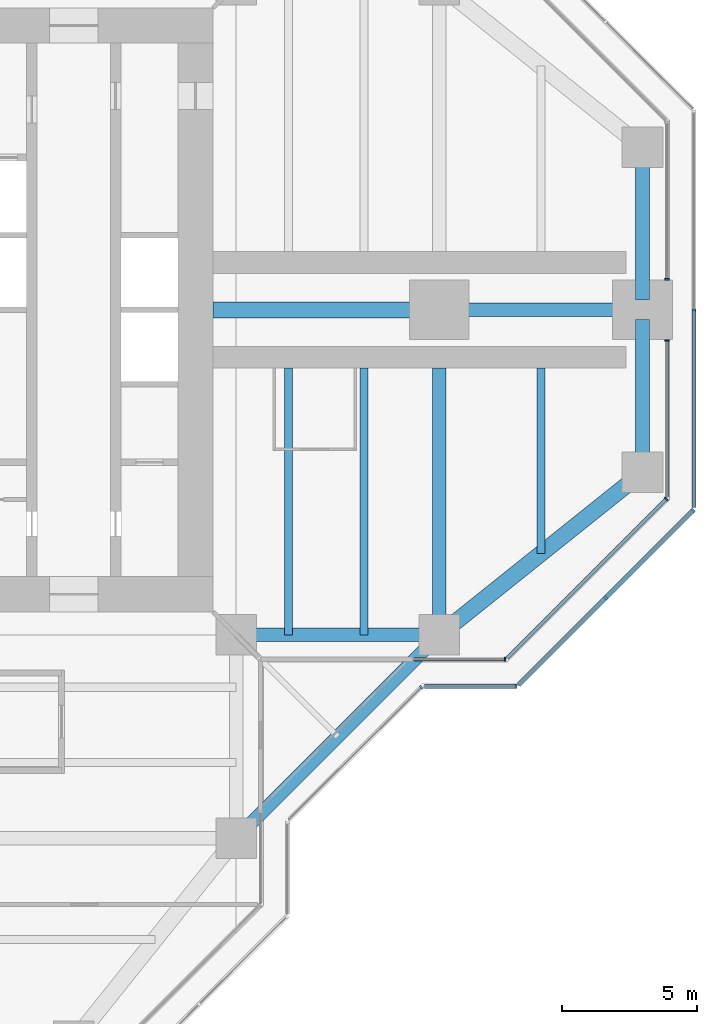
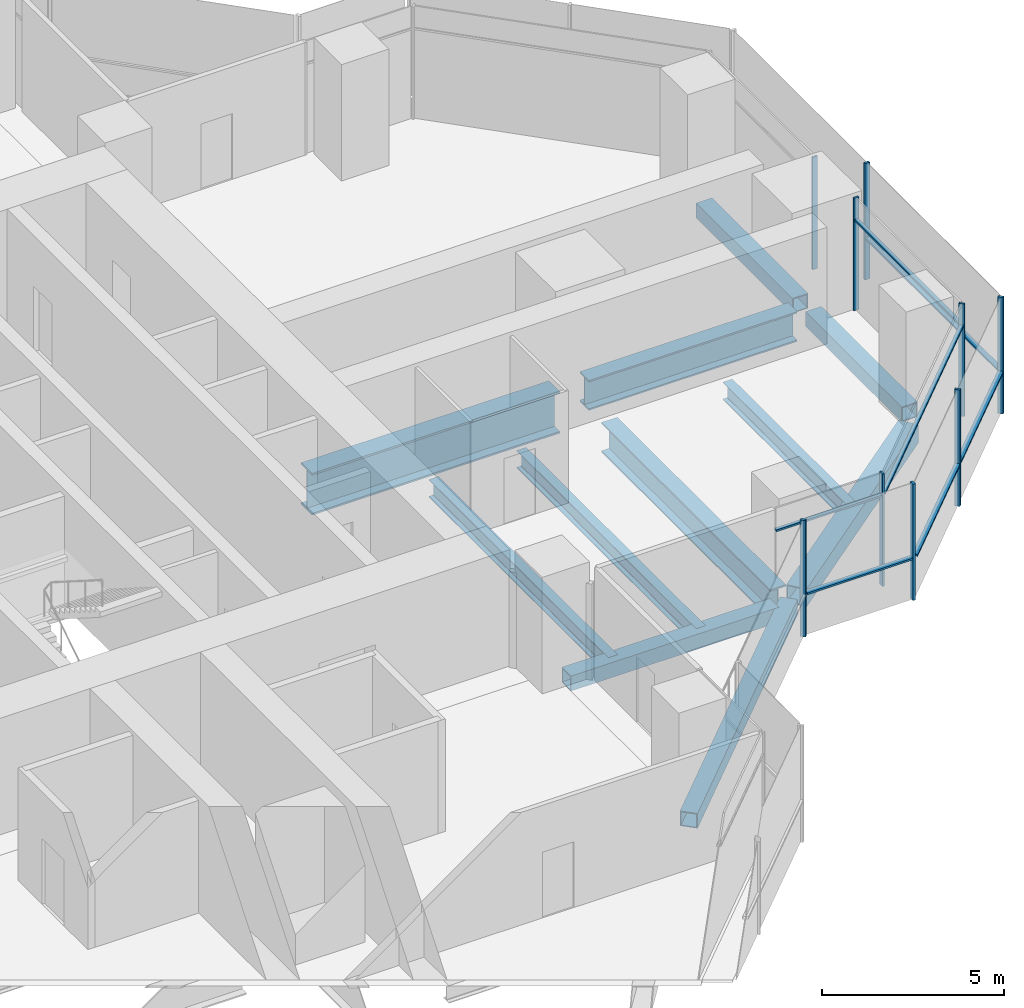
# One storey, part 5 of 17: 16 members, 11 beams, 8 elements without a shape of their own.
"""IFC4 building model written with IfcOpenShell, lengths in metres."""

from ifc_helpers import new_model, si_unit, direction, frame, origin, origin_2d, place, context, subcontext, project, spatial, rectangle, hollow_rectangle, i_section, extrude, material, material_profile, profile_set, type_object, element, aggregate, save


model = new_model("IFC4")

# Units and contexts
model_context = context("Model", 3, precision=1e-05, world=origin(), true_north=direction((0.0, 1.0)))
body_context = subcontext(model_context, "Body", "Model", "MODEL_VIEW")
ifc_project = project(units=[si_unit("LENGTHUNIT", "METRE"), si_unit("AREAUNIT", "SQUARE_METRE"), si_unit("VOLUMEUNIT", "CUBIC_METRE"), si_unit("PLANEANGLEUNIT", "RADIAN"), si_unit("MASSUNIT", "GRAM", prefix="KILO")], contexts=[model_context])

# Site, building, storey
site_placement = place(None, origin())
site = spatial("IfcSite", under=ifc_project, at=site_placement, CompositionType="ELEMENT")
building_placement = place(site_placement, origin())
building = spatial("IfcBuilding", under=site, at=building_placement, Name="Mizan Broadcast Tower", CompositionType="ELEMENT")
storey_placement = place(building_placement, frame((0.0, 0.0, 216.60009765625)))
storey = spatial("IfcBuildingStorey", under=building, at=storey_placement, Name="L50", CompositionType="ELEMENT", Elevation=216.60009765625)

# Beams
ifc_material_1 = material(Name="Steel S355", Category="steel")
ifc_material_profile_1 = material_profile(ifc_material_1, hollow_rectangle(XDim=0.5, YDim=0.5, WallThickness=0.030029296875, at=origin_2d()), Name="BOX 500x500x30")
ifc_profile_set_1 = profile_set([ifc_material_profile_1], Name="Steel S355")
beam_type_1 = type_object("IfcBeamType", Name="EDGE BEAM BOX 500x500x30", PredefinedType="SPANDREL", material=ifc_profile_set_1)
beam_1_placement = place(storey_placement, frame((12.449951171875, -12.0, -0.380126953125), z_axis=(1.0, 0.0, 0.0), x_axis=(0.0, 1.0, 0.0)))
element("IfcBeam", 1, at=beam_1_placement, inside=storey, type_object=beam_type_1, Name="Edge beam BOX 500x500x30 L50 east arm", PredefinedType="SPANDREL", context=body_context, shape_type="SweptSolid", body=[
    extrude(hollow_rectangle(XDim=0.5, YDim=0.5, WallThickness=0.030029296875, at=origin_2d()), origin(), (0.0, 0.0, 1.0), 6.60009765625),
])
for number, where, z_axis, x_axis, name in (
    (2, (27.0, -5.639892578125, -0.380126953125), (0.0, 1.0, 0.0), (-1.0, 0.0, 0.0), "Edge beam BOX 500x500x30 L50 east arm"),
    (3, (27.0, 5.639892578125, -0.380126953125), (0.0, -1.0, 0.0), (1.0, 0.0, 0.0), "Edge beam BOX 500x500x30 L50 east arm"),
):
    element("IfcBeam", number, at=place(storey_placement, frame(where, z_axis=z_axis, x_axis=x_axis)), inside=storey, type_object=beam_type_1, Name=name, PredefinedType="SPANDREL", context=body_context, shape_type="SweptSolid", body=[
        extrude(hollow_rectangle(XDim=0.5, YDim=0.5, WallThickness=0.030029296875, at=origin_2d()), origin(), (0.0, 0.0, 1.0), 5.27978515625),
    ])
beam_2_placement = place(storey_placement, frame((12.0, -19.5, -0.380126953125), z_axis=(0.707106781187, 0.707106781187, 0.0), x_axis=(-0.707106781187, 0.707106781187, 0.0)))
element("IfcBeam", 4, at=beam_2_placement, inside=storey, type_object=beam_type_1, Name="Winter garden edge beam L50 S", PredefinedType="SPANDREL", context=body_context, shape_type="SweptSolid", body=[
    extrude(hollow_rectangle(XDim=0.5, YDim=0.5, WallThickness=0.030029296875, at=origin_2d()), origin(), (0.0, 0.0, 1.0), 10.606689453125),
])
ifc_material_2 = material(Name="Steel S355", Category="steel")
ifc_material_profile_2 = material_profile(ifc_material_2, hollow_rectangle(XDim=0.60009765625, YDim=0.60009765625, WallThickness=0.030029296875, at=origin_2d()), Name="BOX 600x600x30")
ifc_profile_set_2 = profile_set([ifc_material_profile_2], Name="Steel S355")
beam_type_2 = type_object("IfcBeamType", Name="EDGE BEAM BOX 600x600x30", PredefinedType="SPANDREL", material=ifc_profile_set_2)
beam_3_placement = place(storey_placement, frame((19.949951171875, -11.639892578125, -0.43017578125), z_axis=(0.780885717636, 0.624673911726, 0.0), x_axis=(-0.624673911726, 0.780885717636, 0.0)))
element("IfcBeam", 5, at=beam_3_placement, inside=storey, type_object=beam_type_2, Name="Edge beam BOX 600x600x30 L50 east arm", PredefinedType="SPANDREL", context=body_context, shape_type="SweptSolid", body=[
    extrude(hollow_rectangle(XDim=0.60009765625, YDim=0.60009765625, WallThickness=0.030029296875, at=origin_2d()), origin(), (0.0, 0.0, 1.0), 8.4521484375),
])
ifc_material_3 = material(Name="Steel S460", Category="steel")
ifc_material_profile_3 = material_profile(ifc_material_3, i_section(OverallWidth=0.5, OverallDepth=1.0, WebThickness=0.02490234375, FlangeThickness=0.050048828125, at=origin_2d()), Name="WPG 1000x500")
ifc_profile_set_3 = profile_set([ifc_material_profile_3], Name="Steel S460")
beam_type_3 = type_object("IfcBeamType", Name="GIRDER WPG 1000x500", PredefinedType="BEAM", material=ifc_profile_set_3)
beam_4_placement = place(storey_placement, frame((19.949951171875, 0.0, -0.630126953125), z_axis=(1.0, 0.0, 0.0), x_axis=(0.0, 1.0, 0.0)))
element("IfcBeam", 6, at=beam_4_placement, inside=storey, type_object=beam_type_3, Name="Girder WPG 1000x500 L50 east arm", PredefinedType="BEAM", context=body_context, shape_type="SweptSolid", body=[
    extrude(i_section(OverallWidth=0.5, OverallDepth=1.0, WebThickness=0.02490234375, FlangeThickness=0.050048828125, at=origin_2d()), origin(), (0.0, 0.0, 1.0), 6.60009765625),
])
beam_5_placement = place(storey_placement, frame((19.5, -11.408935546875, -0.630126953125), z_axis=(0.0, 1.0, 0.0), x_axis=(-1.0, 0.0, 0.0)))
element("IfcBeam", 7, at=beam_5_placement, inside=storey, type_object=beam_type_3, Name="Girder WPG 1000x500 L50 east arm", PredefinedType="BEAM", context=body_context, shape_type="SweptSolid", body=[
    extrude(i_section(OverallWidth=0.5, OverallDepth=1.0, WebThickness=0.02490234375, FlangeThickness=0.050048828125, at=origin_2d()), origin(), (0.0, 0.0, 1.0), 9.259033203125),
])
ifc_material_4 = material(Name="Steel S460", Category="steel")
ifc_material_profile_4 = material_profile(ifc_material_4, i_section(OverallWidth=0.60009765625, OverallDepth=1.39990234375, WebThickness=0.02490234375, FlangeThickness=0.06005859375, at=origin_2d()), Name="WPG 1400x600")
ifc_profile_set_4 = profile_set([ifc_material_profile_4], Name="Steel S460")
beam_type_4 = type_object("IfcBeamType", Name="GIRDER WPG 1400x600", PredefinedType="BEAM", material=ifc_profile_set_4)
beam_6_placement = place(storey_placement, frame((11.14990234375, 0.0, -0.830078125), z_axis=(1.0, 0.0, 0.0), x_axis=(0.0, 1.0, 0.0)))
element("IfcBeam", 8, at=beam_6_placement, inside=storey, type_object=beam_type_4, Name="Girder WPG 1400x600 L50 east arm", PredefinedType="BEAM", context=body_context, shape_type="SweptSolid", body=[
    extrude(i_section(OverallWidth=0.60009765625, OverallDepth=1.39990234375, WebThickness=0.02490234375, FlangeThickness=0.06005859375, at=origin_2d()), origin(), (0.0, 0.0, 1.0), 7.84912109375),
])

# Curtain wall, member
ifc_material_5 = material(Name="Aluminium framed glazing", Category="aluminium")
curtain_wall_type_1 = type_object("IfcCurtainWallType", Name="INNER SKIN HIGH ZONE", PredefinedType="USERDEFINED", material=ifc_material_5)
curtain_wall_1_placement = place(storey_placement, origin())
curtain_wall_1 = element("IfcCurtainWall", 9, at=curtain_wall_1_placement, inside=storey, type_object=curtain_wall_type_1, Name="Inner skin high zone L50 E side", ObjectType="INNER SKIN HIGH ZONE", PredefinedType="USERDEFINED")
ifc_material_6 = material(Name="Aluminium, pale anodised", Category="aluminium")
ifc_material_profile_5 = material_profile(ifc_material_6, rectangle(XDim=0.159912109375, YDim=0.06005859375, at=origin_2d()), Name="MULLION 160x60")
ifc_profile_set_5 = profile_set([ifc_material_profile_5], Name="Aluminium, pale anodised")
member_type_1 = type_object("IfcMemberType", Name="INNER SKIN MULLION 60x160", PredefinedType="MULLION", material=ifc_profile_set_5)
member_1_placement = place(storey_placement, frame((21.928466796875, -12.89990234375, 0.0), z_axis=(0.0, 0.0, 1.0), x_axis=(0.0, 1.0, 0.0)))
member_1 = element("IfcMember", 10, at=member_1_placement, type_object=member_type_1, Name="Inner skin high zone L50 E side mullion 2", PredefinedType="MULLION", context=body_context, shape_type="SweptSolid", body=[
    extrude(rectangle(XDim=0.159912109375, YDim=0.06005859375, at=origin_2d()), origin(), (0.0, 0.0, 1.0), 3.77001953125),
])

curtain_wall_2_placement = place(storey_placement, origin())
curtain_wall_2 = element("IfcCurtainWall", 11, at=curtain_wall_2_placement, inside=storey, type_object=curtain_wall_type_1, Name="Inner skin high zone L50 E chamfer", ObjectType="INNER SKIN HIGH ZONE", PredefinedType="USERDEFINED")
member_2_placement = place(storey_placement, frame((27.87890625, -6.979736328125, 0.0), z_axis=(0.0, 0.0, 1.0), x_axis=(-0.707106781187, 0.707106781187, 0.0)))
member_2 = element("IfcMember", 12, at=member_2_placement, type_object=member_type_1, Name="Inner skin high zone L50 E chamfer mullion 2", PredefinedType="MULLION", context=body_context, shape_type="SweptSolid", body=[
    extrude(rectangle(XDim=0.159912109375, YDim=0.06005859375, at=origin_2d()), origin(), (0.0, 0.0, 1.0), 3.77001953125),
])

curtain_wall_3_placement = place(storey_placement, origin())
curtain_wall_3 = element("IfcCurtainWall", 13, at=curtain_wall_3_placement, inside=storey, type_object=curtain_wall_type_1, Name="Inner skin high zone L50 E end", ObjectType="INNER SKIN HIGH ZONE", PredefinedType="USERDEFINED")
member_3_placement = place(storey_placement, frame((27.89990234375, -1.1298828125, 0.0), z_axis=(0.0, 0.0, 1.0), x_axis=(-1.0, 0.0, 0.0)))
member_3 = element("IfcMember", 14, at=member_3_placement, type_object=member_type_1, Name="Inner skin high zone L50 E end mullion 2", PredefinedType="MULLION", context=body_context, shape_type="SweptSolid", body=[
    extrude(rectangle(XDim=0.159912109375, YDim=0.06005859375, at=origin_2d()), origin(), (0.0, 0.0, 1.0), 3.77001953125),
])

curtain_wall_4_placement = place(storey_placement, origin())
curtain_wall_4 = element("IfcCurtainWall", 15, at=curtain_wall_4_placement, inside=storey, type_object=curtain_wall_type_1, Name="Inner skin high zone L50 E end", ObjectType="INNER SKIN HIGH ZONE", PredefinedType="USERDEFINED")
member_4_placement = place(storey_placement, frame((27.89990234375, 1.1298828125, 0.0), z_axis=(0.0, 0.0, 1.0), x_axis=(-1.0, 0.0, 0.0)))
member_4 = element("IfcMember", 16, at=member_4_placement, type_object=member_type_1, Name="Inner skin high zone L50 E end mullion 1", PredefinedType="MULLION", context=body_context, shape_type="SweptSolid", body=[
    extrude(rectangle(XDim=0.159912109375, YDim=0.06005859375, at=origin_2d()), origin(), (0.0, 0.0, 1.0), 3.77001953125),
])
aggregate(curtain_wall_4, [member_4])

# Member
ifc_material_7 = material(Name="Aluminium, pale anodised", Category="aluminium")
ifc_material_profile_6 = material_profile(ifc_material_7, rectangle(XDim=0.1201171875, YDim=0.06005859375, at=origin_2d()), Name="TRANSOM 120x60")
ifc_profile_set_6 = profile_set([ifc_material_profile_6], Name="Aluminium, pale anodised")
member_type_2 = type_object("IfcMemberType", Name="INNER SKIN TRANSOM 60x120", PredefinedType="USERDEFINED", material=ifc_profile_set_6)
member_5_placement = place(storey_placement, frame((18.56005859375, -12.89990234375, 3.02978515625), z_axis=(1.0, 0.0, 0.0), x_axis=(0.0, 1.0, 0.0)))
member_5 = element("IfcMember", 17, at=member_5_placement, type_object=member_type_2, Name="Inner skin high zone L50 E side transom 1.1", ObjectType="TRANSOM", PredefinedType="USERDEFINED", context=body_context, shape_type="SweptSolid", body=[
    extrude(rectangle(XDim=0.1201171875, YDim=0.06005859375, at=origin_2d()), origin(), (0.0, 0.0, 1.0), 3.338623046875),
])

aggregate(curtain_wall_1, [member_1, member_5])

member_6_placement = place(storey_placement, frame((22.0009765625, -12.857666015625, 3.02978515625), z_axis=(0.707106781187, 0.707106781187, 0.0), x_axis=(-0.707106781187, 0.707106781187, 0.0)))
member_6 = element("IfcMember", 18, at=member_6_placement, type_object=member_type_2, Name="Inner skin high zone L50 E chamfer transom 1.1", ObjectType="TRANSOM", PredefinedType="USERDEFINED", context=body_context, shape_type="SweptSolid", body=[
    extrude(rectangle(XDim=0.1201171875, YDim=0.06005859375, at=origin_2d()), origin(), (0.0, 0.0, 1.0), 8.28271484375),
])

aggregate(curtain_wall_2, [member_2, member_6])

member_7_placement = place(storey_placement, frame((27.89990234375, -6.898681640625, 3.02978515625), z_axis=(0.0, 1.0, 0.0), x_axis=(-1.0, 0.0, 0.0)))
member_7 = element("IfcMember", 19, at=member_7_placement, type_object=member_type_2, Name="Inner skin high zone L50 E end transom 1.1", ObjectType="TRANSOM", PredefinedType="USERDEFINED", context=body_context, shape_type="SweptSolid", body=[
    extrude(rectangle(XDim=0.1201171875, YDim=0.06005859375, at=origin_2d()), origin(), (0.0, 0.0, 1.0), 5.73876953125),
])

aggregate(curtain_wall_3, [member_3, member_7])

# Curtain wall, members
ifc_material_8 = material(Name="Aluminium framed glazing", Category="aluminium")
curtain_wall_type_2 = type_object("IfcCurtainWallType", Name="OUTER SKIN", PredefinedType="USERDEFINED", material=ifc_material_8)
curtain_wall_5_placement = place(storey_placement, origin())
curtain_wall_5 = element("IfcCurtainWall", 20, at=curtain_wall_5_placement, inside=storey, type_object=curtain_wall_type_2, Name="Outer skin L50 E chamfer", ObjectType="OUTER SKIN", PredefinedType="USERDEFINED")
ifc_material_9 = material(Name="Aluminium, pale anodised", Category="aluminium")
ifc_material_profile_7 = material_profile(ifc_material_9, rectangle(XDim=0.159912109375, YDim=0.080078125, at=origin_2d()), Name="MULLION 160x80")
ifc_profile_set_7 = profile_set([ifc_material_profile_7], Name="Aluminium, pale anodised")
member_type_3 = type_object("IfcMemberType", Name="OUTER SKIN MULLION 80x160", PredefinedType="MULLION", material=ifc_profile_set_7)
member_8_placement = place(storey_placement, frame((25.636474609375, -10.636474609375, 0.0), z_axis=(0.0, 0.0, 1.0), x_axis=(-0.707106781187, 0.707106781187, 0.0)))
member_8 = element("IfcMember", 21, at=member_8_placement, type_object=member_type_3, Name="Outer skin L50 E chamfer mullion 2", PredefinedType="MULLION", context=body_context, shape_type="SweptSolid", body=[
    extrude(rectangle(XDim=0.159912109375, YDim=0.080078125, at=origin_2d()), origin(), (0.0, 0.0, 1.0), 3.89990234375),
])
member_9_placement = place(storey_placement, frame((28.871826171875, -7.401123046875, 0.0), z_axis=(0.0, 0.0, 1.0), x_axis=(-0.707106781187, 0.707106781187, 0.0)))
member_9 = element("IfcMember", 22, at=member_9_placement, type_object=member_type_3, Name="Outer skin L50 E chamfer mullion 3", PredefinedType="MULLION", context=body_context, shape_type="SweptSolid", body=[
    extrude(rectangle(XDim=0.159912109375, YDim=0.080078125, at=origin_2d()), origin(), (0.0, 0.0, 1.0), 3.89990234375),
])

# Curtain wall, member
curtain_wall_6_placement = place(storey_placement, origin())
curtain_wall_6 = element("IfcCurtainWall", 23, at=curtain_wall_6_placement, inside=storey, type_object=curtain_wall_type_2, Name="Outer skin L50 E end", ObjectType="OUTER SKIN", PredefinedType="USERDEFINED")
member_10_placement = place(storey_placement, frame((28.89990234375, 0.0, 0.0), z_axis=(0.0, 0.0, 1.0), x_axis=(-1.0, 0.0, 0.0)))
member_10 = element("IfcMember", 24, at=member_10_placement, type_object=member_type_3, Name="Outer skin L50 E end mullion 2", PredefinedType="MULLION", context=body_context, shape_type="SweptSolid", body=[
    extrude(rectangle(XDim=0.159912109375, YDim=0.080078125, at=origin_2d()), origin(), (0.0, 0.0, 1.0), 3.89990234375),
])

curtain_wall_7_placement = place(storey_placement, origin())
curtain_wall_7 = element("IfcCurtainWall", 25, at=curtain_wall_7_placement, inside=storey, type_object=curtain_wall_type_2, Name="Outer skin L50 E chamfer", ObjectType="OUTER SKIN", PredefinedType="USERDEFINED")
member_11_placement = place(storey_placement, frame((18.844482421875, -13.92822265625, 0.0), z_axis=(0.0, 0.0, 1.0), x_axis=(-0.707106781187, 0.707106781187, 0.0)))
member_11 = element("IfcMember", 26, at=member_11_placement, type_object=member_type_3, Name="Outer skin L50 E chamfer mullion 2", PredefinedType="MULLION", context=body_context, shape_type="SweptSolid", body=[
    extrude(rectangle(XDim=0.159912109375, YDim=0.080078125, at=origin_2d()), origin(), (0.0, 0.0, 1.0), 3.89990234375),
])
aggregate(curtain_wall_7, [member_11])

curtain_wall_8_placement = place(storey_placement, origin())
curtain_wall_8 = element("IfcCurtainWall", 27, at=curtain_wall_8_placement, inside=storey, type_object=curtain_wall_type_2, Name="Outer skin L50 E side", ObjectType="OUTER SKIN", PredefinedType="USERDEFINED")
member_12_placement = place(storey_placement, frame((22.332763671875, -13.89990234375, 0.0), z_axis=(0.0, 0.0, 1.0), x_axis=(0.0, 1.0, 0.0)))
member_12 = element("IfcMember", 28, at=member_12_placement, type_object=member_type_3, Name="Outer skin L50 E side mullion 2", PredefinedType="MULLION", context=body_context, shape_type="SweptSolid", body=[
    extrude(rectangle(XDim=0.159912109375, YDim=0.080078125, at=origin_2d()), origin(), (0.0, 0.0, 1.0), 3.89990234375),
])

# Member
ifc_material_10 = material(Name="Aluminium, pale anodised", Category="aluminium")
ifc_material_profile_8 = material_profile(ifc_material_10, rectangle(XDim=0.159912109375, YDim=0.06005859375, at=origin_2d()), Name="TRANSOM 160x60")
ifc_profile_set_8 = profile_set([ifc_material_profile_8], Name="Aluminium, pale anodised")
member_type_4 = type_object("IfcMemberType", Name="OUTER SKIN TRANSOM 60x160", PredefinedType="USERDEFINED", material=ifc_profile_set_8)
member_13_placement = place(storey_placement, frame((22.429443359375, -13.843505859375, 1.39990234375), z_axis=(0.707106781187, 0.707106781187, 0.0), x_axis=(-0.707106781187, 0.707106781187, 0.0)))
member_13 = element("IfcMember", 29, at=member_13_placement, type_object=member_type_4, Name="Outer skin L50 E chamfer transom 1.1", ObjectType="TRANSOM", PredefinedType="USERDEFINED", context=body_context, shape_type="SweptSolid", body=[
    extrude(rectangle(XDim=0.159912109375, YDim=0.06005859375, at=origin_2d()), origin(), (0.0, 0.0, 1.0), 4.495361328125),
])

member_14_placement = place(storey_placement, frame((25.664794921875, -10.608154296875, 1.39990234375), z_axis=(0.707106781187, 0.707106781187, 0.0), x_axis=(-0.707106781187, 0.707106781187, 0.0)))
member_14 = element("IfcMember", 30, at=member_14_placement, type_object=member_type_4, Name="Outer skin L50 E chamfer transom 2.1", ObjectType="TRANSOM", PredefinedType="USERDEFINED", context=body_context, shape_type="SweptSolid", body=[
    extrude(rectangle(XDim=0.159912109375, YDim=0.06005859375, at=origin_2d()), origin(), (0.0, 0.0, 1.0), 4.495361328125),
])

aggregate(curtain_wall_5, [member_8, member_9, member_13, member_14])

member_15_placement = place(storey_placement, frame((28.89990234375, -7.292724609375, 1.39990234375), z_axis=(0.0, 1.0, 0.0), x_axis=(-1.0, 0.0, 0.0)))
member_15 = element("IfcMember", 31, at=member_15_placement, type_object=member_type_4, Name="Outer skin L50 E end transom 1.1", ObjectType="TRANSOM", PredefinedType="USERDEFINED", context=body_context, shape_type="SweptSolid", body=[
    extrude(rectangle(XDim=0.159912109375, YDim=0.06005859375, at=origin_2d()), origin(), (0.0, 0.0, 1.0), 7.252685546875),
])

aggregate(curtain_wall_6, [member_10, member_15])

member_16_placement = place(storey_placement, frame((18.952880859375, -13.89990234375, 1.39990234375), z_axis=(1.0, 0.0, 0.0), x_axis=(0.0, 1.0, 0.0)))
member_16 = element("IfcMember", 32, at=member_16_placement, type_object=member_type_4, Name="Outer skin L50 E side transom 1.1", ObjectType="TRANSOM", PredefinedType="USERDEFINED", context=body_context, shape_type="SweptSolid", body=[
    extrude(rectangle(XDim=0.159912109375, YDim=0.06005859375, at=origin_2d()), origin(), (0.0, 0.0, 1.0), 3.33984375),
])

aggregate(curtain_wall_8, [member_12, member_16])

# Beams
ifc_material_11 = material(Name="Steel S355", Category="steel")
ifc_material_profile_9 = material_profile(ifc_material_11, i_section(OverallWidth=0.300048828125, OverallDepth=0.590087890625, WebThickness=0.012939453125, FlangeThickness=0.02490234375, FilletRadius=0.027099609375, at=origin_2d()), Name="HEA 600")
ifc_profile_set_9 = profile_set([ifc_material_profile_9], Name="Steel S355")
beam_type_5 = type_object("IfcBeamType", Name="SECONDARY BEAM HEA 600", PredefinedType="JOIST", material=ifc_profile_set_9)
for number, where, z_axis, x_axis, name in (
    (33, (13.933349609375, -12.0, -0.425048828125), (0.0, 1.0, 0.0), (-1.0, 0.0, 0.0), "Secondary beam HEA 600 L50 east arm"),
    (34, (16.716552734375, -12.0, -0.425048828125), (0.0, 1.0, 0.0), (-1.0, 0.0, 0.0), "Secondary beam HEA 600 L50 east arm"),
):
    element("IfcBeam", number, at=place(storey_placement, frame(where, z_axis=z_axis, x_axis=x_axis)), inside=storey, type_object=beam_type_5, Name=name, PredefinedType="JOIST", context=body_context, shape_type="SweptSolid", body=[
        extrude(i_section(OverallWidth=0.300048828125, OverallDepth=0.590087890625, WebThickness=0.012939453125, FlangeThickness=0.02490234375, FilletRadius=0.027099609375, at=origin_2d()), origin(), (0.0, 0.0, 1.0), 9.85009765625),
    ])
beam_7_placement = place(storey_placement, frame((23.25, -9.0, -0.425048828125), z_axis=(0.0, 1.0, 0.0), x_axis=(-1.0, 0.0, 0.0)))
element("IfcBeam", 35, at=beam_7_placement, inside=storey, type_object=beam_type_5, Name="Secondary beam HEA 600 L50 east arm", PredefinedType="JOIST", context=body_context, shape_type="SweptSolid", body=[
    extrude(i_section(OverallWidth=0.300048828125, OverallDepth=0.590087890625, WebThickness=0.012939453125, FlangeThickness=0.02490234375, FilletRadius=0.027099609375, at=origin_2d()), origin(), (0.0, 0.0, 1.0), 6.85009765625),
])

save(model, "model.ifc")
